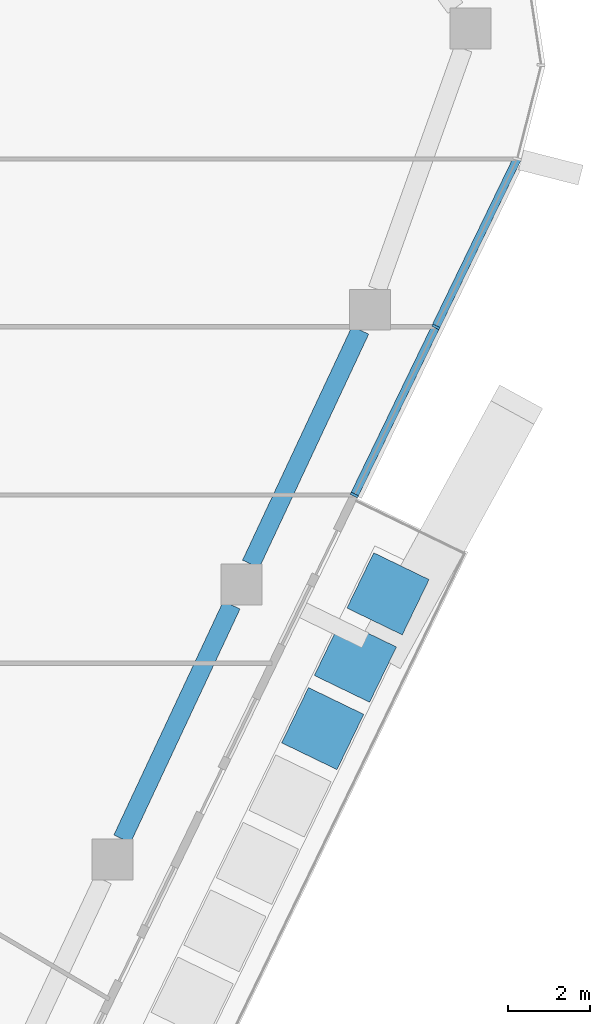
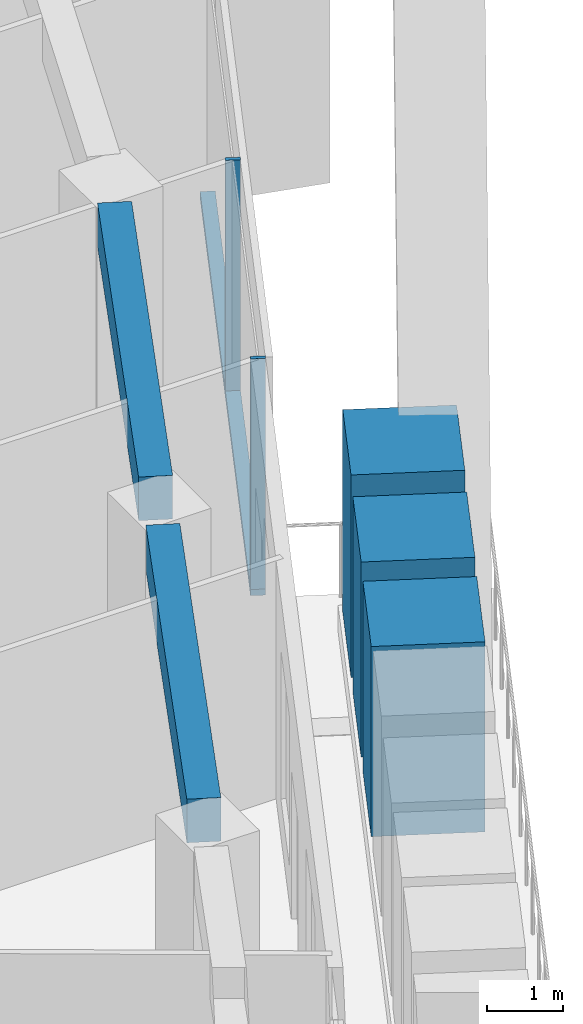
# One storey, part 5 of 24: 6 members, 2 beams, 1 element without a shape of its own.
"""IFC4 building model written with IfcOpenShell, lengths in metres."""

from ifc_helpers import new_model, si_unit, direction, frame, origin, origin_2d, place, context, subcontext, project, spatial, rectangle, extrude, material, layer, layer_set, material_profile, profile_set, type_object, element, aggregate, save


model = new_model("IFC4")

# Units and contexts
model_context = context("Model", 3, precision=1e-05, world=origin(), true_north=direction((0.0, 1.0)))
body_context = subcontext(model_context, "Body", "Model", "MODEL_VIEW")
ifc_project = project(units=[si_unit("LENGTHUNIT", "METRE"), si_unit("AREAUNIT", "SQUARE_METRE"), si_unit("VOLUMEUNIT", "CUBIC_METRE"), si_unit("PLANEANGLEUNIT", "RADIAN"), si_unit("MASSUNIT", "GRAM", prefix="KILO")], contexts=[model_context])

# Site, building, storey
site_placement = place(None, origin())
site = spatial("IfcSite", under=ifc_project, at=site_placement, CompositionType="ELEMENT")
building_placement = place(site_placement, origin())
building = spatial("IfcBuilding", under=site, at=building_placement, Name="Dongbaek Canopy Tower", CompositionType="ELEMENT")
storey_placement = place(building_placement, frame((0.0, 0.0, 298.39990234375)))
storey = spatial("IfcBuildingStorey", under=building, at=storey_placement, Name="L63", CompositionType="ELEMENT", Elevation=298.39990234375)

# Curtain wall, members
ifc_material_1 = material(Name="Aluminium 6063-T6 pale anodised", Category="aluminium")
ifc_layer = layer(ifc_material_1, 0.199951171875)
ifc_layer_set = layer_set([ifc_layer], Name="CW-1 unitised tower curtain wall")
curtain_wall_type = type_object("IfcCurtainWallType", Name="CW-1 unitised tower curtain wall", PredefinedType="NOTDEFINED", material=ifc_layer_set)
curtain_wall_placement = place(storey_placement, origin())
curtain_wall = element("IfcCurtainWall", 1, at=curtain_wall_placement, inside=storey, type_object=curtain_wall_type, Name="CW-1 curtain wall F5.1", PredefinedType="NOTDEFINED")
ifc_material_2 = material(Name="Aluminium 6063-T6 pale anodised", Category="aluminium")
ifc_material_profile_1 = material_profile(ifc_material_2, rectangle(XDim=0.199951171875, YDim=0.06005859375, at=origin_2d()), Name="CW-1 mullion 60 x 200")
ifc_profile_set_1 = profile_set([ifc_material_profile_1], Name="Aluminium 6063-T6 pale anodised")
member_type_1 = type_object("IfcMemberType", Name="CW-1 mullion 60 x 200", PredefinedType="MULLION", material=ifc_profile_set_1)
member_1_placement = place(storey_placement, frame((27.970703125, -4.69189453125, 0.1201171875), z_axis=(0.0, 0.0, 1.0), x_axis=(0.900012864193, -0.435863332121, 0.0)))
member_1 = element("IfcMember", 2, at=member_1_placement, type_object=member_type_1, Name="CW-1 mullion F5.1.1", PredefinedType="MULLION", context=body_context, shape_type="SweptSolid", body=[
    extrude(rectangle(XDim=0.199951171875, YDim=0.06005859375, at=origin_2d()), origin(), (0.0, 0.0, 1.0), 3.699951171875),
])
member_2_placement = place(storey_placement, frame((29.959228515625, -0.5859375, 0.1201171875), z_axis=(0.0, 0.0, 1.0), x_axis=(0.900012864193, -0.435863332121, 0.0)))
member_2 = element("IfcMember", 3, at=member_2_placement, type_object=member_type_1, Name="CW-1 mullion F5.1.2", PredefinedType="MULLION", context=body_context, shape_type="SweptSolid", body=[
    extrude(rectangle(XDim=0.199951171875, YDim=0.06005859375, at=origin_2d()), origin(), (0.0, 0.0, 1.0), 3.699951171875),
])
ifc_material_3 = material(Name="Aluminium 6063-T6 pale anodised", Category="aluminium")
ifc_material_profile_2 = material_profile(ifc_material_3, rectangle(XDim=0.199951171875, YDim=0.1201171875, at=origin_2d()), Name="CW-1 transom 120 x 200")
ifc_profile_set_2 = profile_set([ifc_material_profile_2], Name="Aluminium 6063-T6 pale anodised")
member_type_2 = type_object("IfcMemberType", Name="CW-1 transom 120 x 200", PredefinedType="USERDEFINED", material=ifc_profile_set_2)
member_3_placement = place(storey_placement, frame((27.970703125, -4.69189453125, 0.06005859375), z_axis=(0.435863365073, 0.900012848234, 0.0), x_axis=(-0.900012848234, 0.435863365073, 0.0)))
member_3 = element("IfcMember", 4, at=member_3_placement, type_object=member_type_2, Name="CW-1 transom F5.1.1", ObjectType="TRANSOM", PredefinedType="USERDEFINED", context=body_context, shape_type="SweptSolid", body=[
    extrude(rectangle(XDim=0.199951171875, YDim=0.1201171875, at=origin_2d()), origin(), (0.0, 0.0, 1.0), 9.114501953125),
])
aggregate(curtain_wall, [member_1, member_2, member_3])

# Beams
ifc_material_4 = material(Name="Concrete C60", Category="concrete")
ifc_material_profile_3 = material_profile(ifc_material_4, rectangle(XDim=0.449951171875, YDim=0.699951171875, at=origin_2d()), Name="RC EDGE BEAM 450x700 C60")
ifc_profile_set_3 = profile_set([ifc_material_profile_3], Name="Concrete C60")
beam_type = type_object("IfcBeamType", Name="RC EDGE BEAM 450x700 C60", PredefinedType="BEAM", material=ifc_profile_set_3)
beam_1_placement = place(storey_placement, frame((28.116943359375, -0.669921875, 3.47021484375), z_axis=(-0.42401310583, -0.905656052861, 0.0), x_axis=(0.905656052861, -0.42401310583, 0.0)))
element("IfcBeam", 5, at=beam_1_placement, inside=storey, type_object=beam_type, Name="EDGEBEAM:L63:22", PredefinedType="BEAM", context=body_context, shape_type="SweptSolid", body=[
    extrude(rectangle(XDim=0.449951171875, YDim=0.699951171875, at=origin_2d()), origin(), (0.0, 0.0, 1.0), 6.3037109375),
])
beam_2_placement = place(storey_placement, frame((24.975830078125, -7.37890625, 3.47021484375), z_axis=(-0.424108398663, -0.905611432229, 0.0), x_axis=(0.905611432229, -0.424108398663, 0.0)))
element("IfcBeam", 6, at=beam_2_placement, inside=storey, type_object=beam_type, Name="EDGEBEAM:L63:23", PredefinedType="BEAM", context=body_context, shape_type="SweptSolid", body=[
    extrude(rectangle(XDim=0.449951171875, YDim=0.699951171875, at=origin_2d()), origin(), (0.0, 0.0, 1.0), 6.303955078125),
])

# Members
ifc_material_5 = material(Name="Concrete C40/50 planter mass with planting", Category="concrete")
ifc_material_profile_4 = material_profile(ifc_material_5, rectangle(XDim=1.5, YDim=1.5, at=origin_2d()), Name="Terrace PLANTER shrub mass 1500 x 1500")
ifc_profile_set_4 = profile_set([ifc_material_profile_4], Name="Concrete C40/50 planter mass with planting")
member_type_3 = type_object("IfcMemberType", Name="Terrace PLANTER shrub mass 1500 x 1500", PredefinedType="USERDEFINED", material=ifc_profile_set_4)
member_4_placement = place(storey_placement, frame((27.197998046875, -10.394287109375, 0.420166015625), z_axis=(0.0, 0.0, 1.0), x_axis=(0.900012864193, -0.435863332121, 0.0)))
element("IfcMember", 7, at=member_4_placement, inside=storey, type_object=member_type_3, Name="Planter shrubs L63 5.7", ObjectType="PLANTER", PredefinedType="USERDEFINED", context=body_context, shape_type="SweptSolid", body=[
    extrude(rectangle(XDim=1.5, YDim=1.5, at=origin_2d()), origin(), (0.0, 0.0, 1.0), 3.050048828125),
])
member_5_placement = place(storey_placement, frame((27.99462890625, -8.74951171875, 0.420166015625), z_axis=(0.0, 0.0, 1.0), x_axis=(0.900012864193, -0.435863332121, 0.0)))
element("IfcMember", 8, at=member_5_placement, inside=storey, type_object=member_type_3, Name="Planter shrubs L63 5.8", ObjectType="PLANTER", PredefinedType="USERDEFINED", context=body_context, shape_type="SweptSolid", body=[
    extrude(rectangle(XDim=1.5, YDim=1.5, at=origin_2d()), origin(), (0.0, 0.0, 1.0), 3.1298828125),
])
member_6_placement = place(storey_placement, frame((28.791259765625, -7.1044921875, 0.420166015625), z_axis=(0.0, 0.0, 1.0), x_axis=(0.900012864193, -0.435863332121, 0.0)))
element("IfcMember", 9, at=member_6_placement, inside=storey, type_object=member_type_3, Name="Planter shrubs L63 5.9", ObjectType="PLANTER", PredefinedType="USERDEFINED", context=body_context, shape_type="SweptSolid", body=[
    extrude(rectangle(XDim=1.5, YDim=1.5, at=origin_2d()), origin(), (0.0, 0.0, 1.0), 3.25),
])

save(model, "model.ifc")
